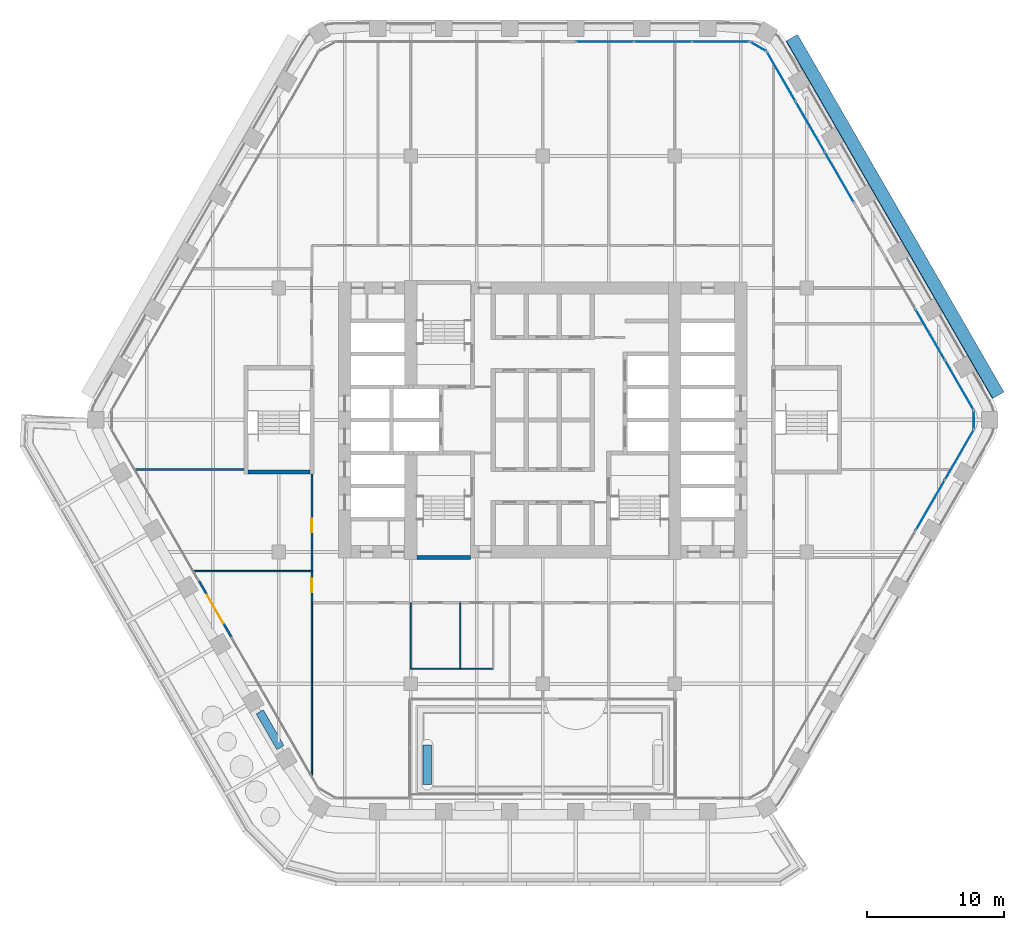
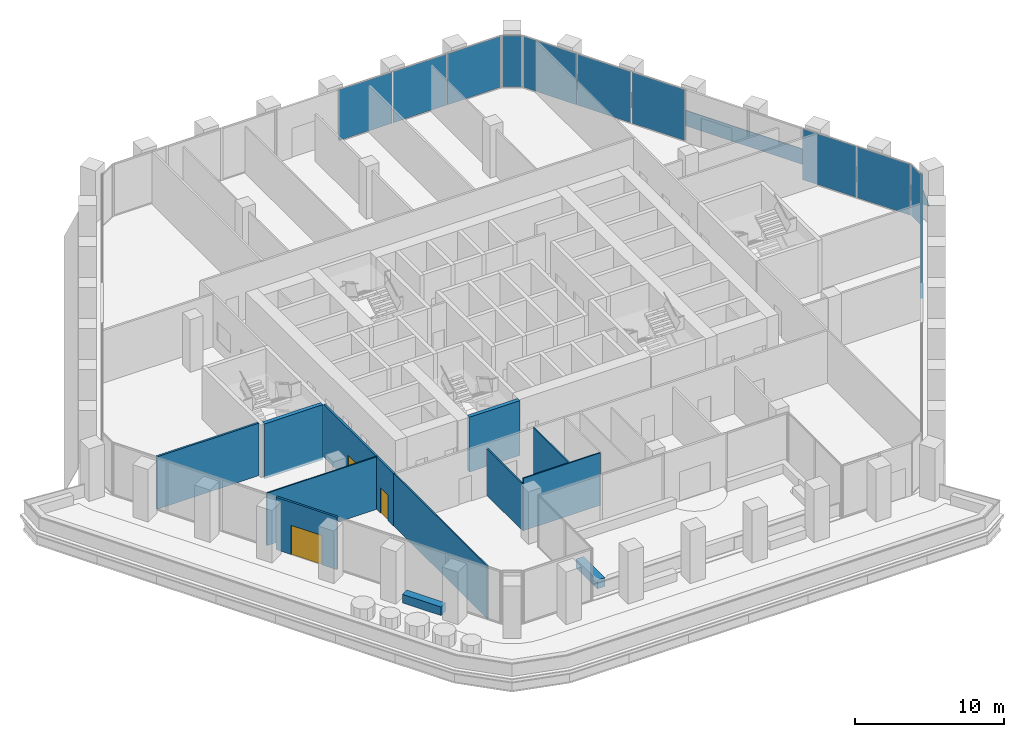
# One storey, part 15 of 27: 13 plates, 12 walls, 3 doors, 3 openings, 6 elements without a shape of their own.
"""IFC4 building model written with IfcOpenShell, lengths in metres."""

from ifc_helpers import new_model, si_unit, direction, frame, frame_2d, origin, origin_2d, place, context, subcontext, project, spatial, polyline, rectangle, outline, extrude, material, layer, layer_set, type_object, element, fill, aggregate, save


model = new_model("IFC4")

# Units and contexts
model_context = context("Model", 3, precision=1e-05, world=origin(), true_north=direction((0.0, 1.0)))
body_context = subcontext(model_context, "Body", "Model", "MODEL_VIEW")
ifc_project = project(units=[si_unit("LENGTHUNIT", "METRE"), si_unit("AREAUNIT", "SQUARE_METRE"), si_unit("VOLUMEUNIT", "CUBIC_METRE"), si_unit("PLANEANGLEUNIT", "RADIAN"), si_unit("MASSUNIT", "GRAM", prefix="KILO")], contexts=[model_context])

# Site, building, storey
site_placement = place(None, origin())
site = spatial("IfcSite", under=ifc_project, at=site_placement, CompositionType="ELEMENT")
building_placement = place(site_placement, origin())
building = spatial("IfcBuilding", under=site, at=building_placement, Name="Kolab Exchange Tower", CompositionType="ELEMENT")
storey_placement = place(building_placement, frame((0.0, 0.0, 109.39990234375)))
storey = spatial("IfcBuildingStorey", under=building, at=storey_placement, Name="L21", CompositionType="ELEMENT", Elevation=109.39990234375)

# Plate
ifc_material_1 = material(Name="Laminated glass, clear", Category="glass")
ifc_layer_1 = layer(ifc_material_1, 0.0400390625)
ifc_layer_set_1 = layer_set([ifc_layer_1], Name="Laminated glass, clear")
plate_type_1 = type_object("IfcPlateType", Name="OUTER SKIN LAMINATED GLASS SHEET 40", PredefinedType="SHEET", material=ifc_layer_set_1)
plate_1_placement = place(storey_placement, frame((18.540283203125, 28.04541015625, -0.73291015625), z_axis=(0.78488749746, 0.453155039209, 0.422613448403), x_axis=(0.499999167166, -0.866025884618, 2.126414e-06)))
element("IfcPlate", 1, at=plate_1_placement, inside=storey, type_object=plate_type_1, Name="Outer skin", PredefinedType="SHEET", context=body_context, shape_type="SweptSolid", body=[
    extrude(outline(polyline([(0.0, 0.0), (30.035931798469555, 0.0), (30.035821559359643, -2.2341565300489714), (-2.087711834573829e-05, -2.2342974723957343), (0.0, 0.0)])), origin(), (0.0, 0.0, -1.0), 0.0400390625),
])

# Curtain wall, plates
ifc_material_2 = material(Name="Aluminium EN AW-6063 T6", Category="aluminium")
curtain_wall_type = type_object("IfcCurtainWallType", Name="UNITISED LOWER MID ZONE CURTAIN WALL", PredefinedType="NOTDEFINED", material=ifc_material_2)
curtain_wall_1_placement = place(storey_placement, origin())
curtain_wall_1 = element("IfcCurtainWall", 2, at=curtain_wall_1_placement, inside=storey, type_object=curtain_wall_type, Name="cw/L21/F1-2", PredefinedType="NOTDEFINED")
ifc_material_3 = material(Name="Clear insulated glazing unit", Category="glass")
ifc_layer_2 = layer(ifc_material_3, 0.02587890625)
ifc_layer_set_2 = layer_set([ifc_layer_2], Name="Clear insulated glazing unit")
plate_type_2 = type_object("IfcPlateType", Name="UNITISED LOWER MID ZONE GLASS PANEL 26", PredefinedType="CURTAIN_PANEL", material=ifc_layer_set_2)
plate_2_placement = place(storey_placement, frame((4.5263671875, 27.5185546875, 0.06005859375), z_axis=(0.0, 0.0, 1.0), x_axis=(1.0, 0.0, 0.0)))
plate_2 = element("IfcPlate", 3, at=plate_2_placement, type_object=plate_type_2, Name="CW2 panel 1.1", PredefinedType="CURTAIN_PANEL", context=body_context, shape_type="SweptSolid", body=[
    extrude(rectangle(XDim=4.132568359375, YDim=0.02587890625, at=origin_2d()), origin(), (0.0, 0.0, 1.0), 4.179931640625),
])
plate_3_placement = place(storey_placement, frame((8.73388671875, 27.5185546875, 0.06005859375), z_axis=(0.0, 0.0, 1.0), x_axis=(1.0, 0.0, 0.0)))
plate_3 = element("IfcPlate", 4, at=plate_3_placement, type_object=plate_type_2, Name="CW2 panel 2.1", PredefinedType="CURTAIN_PANEL", context=body_context, shape_type="SweptSolid", body=[
    extrude(rectangle(XDim=4.16259765625, YDim=0.02587890625, at=origin_2d()), origin(), (0.0, 0.0, 1.0), 4.179931640625),
])
plate_4_placement = place(storey_placement, frame((12.941650390625, 27.5185546875, 0.06005859375), z_axis=(0.0, 0.0, 1.0), x_axis=(1.0, 0.0, 0.0)))
plate_4 = element("IfcPlate", 5, at=plate_4_placement, type_object=plate_type_2, Name="CW2 panel 3.1", PredefinedType="CURTAIN_PANEL", context=body_context, shape_type="SweptSolid", body=[
    extrude(rectangle(XDim=4.132568359375, YDim=0.02587890625, at=origin_2d()), origin(), (0.0, 0.0, 1.0), 4.179931640625),
])
aggregate(curtain_wall_1, [plate_2, plate_3, plate_4])

curtain_wall_2_placement = place(storey_placement, origin())
curtain_wall_2 = element("IfcCurtainWall", 6, at=curtain_wall_2_placement, inside=storey, type_object=curtain_wall_type, Name="cw/L21/F2-1", PredefinedType="NOTDEFINED")
plate_5_placement = place(storey_placement, frame((17.36083984375, 24.967041015625, 0.06005859375), z_axis=(0.0, 0.0, 1.0), x_axis=(0.500000017564, -0.866025393644, 0.0)))
plate_5 = element("IfcPlate", 7, at=plate_5_placement, type_object=plate_type_2, Name="CW2 panel 1.1", PredefinedType="CURTAIN_PANEL", context=body_context, shape_type="SweptSolid", body=[
    extrude(rectangle(XDim=4.132568359375, YDim=0.02587890625, at=origin_2d()), origin(), (0.0, 0.0, 1.0), 4.179931640625),
])
plate_6_placement = place(storey_placement, frame((19.464599609375, 21.322998046875, 0.06005859375), z_axis=(0.0, 0.0, 1.0), x_axis=(0.500000017564, -0.866025393644, 0.0)))
plate_6 = element("IfcPlate", 8, at=plate_6_placement, type_object=plate_type_2, Name="CW2 panel 2.1", PredefinedType="CURTAIN_PANEL", context=body_context, shape_type="SweptSolid", body=[
    extrude(rectangle(XDim=4.16259765625, YDim=0.02587890625, at=origin_2d()), origin(), (0.0, 0.0, 1.0), 4.179931640625),
])
plate_7_placement = place(storey_placement, frame((21.568603515625, 17.67919921875, 0.06005859375), z_axis=(0.0, 0.0, 1.0), x_axis=(0.500000017564, -0.866025393644, 0.0)))
plate_7 = element("IfcPlate", 9, at=plate_7_placement, type_object=plate_type_2, Name="CW2 panel 3.1", PredefinedType="CURTAIN_PANEL", context=body_context, shape_type="SweptSolid", body=[
    extrude(rectangle(XDim=4.132568359375, YDim=0.02587890625, at=origin_2d()), origin(), (0.0, 0.0, 1.0), 4.179931640625),
])
aggregate(curtain_wall_2, [plate_5, plate_6, plate_7])

curtain_wall_3_placement = place(storey_placement, origin())
curtain_wall_3 = element("IfcCurtainWall", 10, at=curtain_wall_3_placement, inside=storey, type_object=curtain_wall_type, Name="cw/L21/F2-2", PredefinedType="NOTDEFINED")
plate_8_placement = place(storey_placement, frame((28.19873046875, 6.1953125, 0.06005859375), z_axis=(0.0, 0.0, 1.0), x_axis=(0.499999958358, -0.866025427826, 0.0)))
plate_8 = element("IfcPlate", 11, at=plate_8_placement, type_object=plate_type_2, Name="CW2 panel 2.1", PredefinedType="CURTAIN_PANEL", context=body_context, shape_type="SweptSolid", body=[
    extrude(rectangle(XDim=4.16259765625, YDim=0.02587890625, at=origin_2d()), origin(), (0.0, 0.0, 1.0), 4.179931640625),
])
plate_9_placement = place(storey_placement, frame((30.302490234375, 2.551513671875, 0.06005859375), z_axis=(0.0, 0.0, 1.0), x_axis=(0.499999958358, -0.866025427826, 0.0)))
plate_9 = element("IfcPlate", 12, at=plate_9_placement, type_object=plate_type_2, Name="CW2 panel 3.1", PredefinedType="CURTAIN_PANEL", context=body_context, shape_type="SweptSolid", body=[
    extrude(rectangle(XDim=4.132568359375, YDim=0.02587890625, at=origin_2d()), origin(), (0.0, 0.0, 1.0), 4.179931640625),
])
aggregate(curtain_wall_3, [plate_8, plate_9])

curtain_wall_4_placement = place(storey_placement, origin())
curtain_wall_4 = element("IfcCurtainWall", 13, at=curtain_wall_4_placement, inside=storey, type_object=curtain_wall_type, Name="cw/L21/F3-1", PredefinedType="NOTDEFINED")
plate_10_placement = place(storey_placement, frame((30.302490234375, -2.551513671875, 0.06005859375), z_axis=(0.0, 0.0, 1.0), x_axis=(-0.499999958358, -0.866025427826, 0.0)))
plate_10 = element("IfcPlate", 14, at=plate_10_placement, type_object=plate_type_2, Name="CW2 panel 1.1", PredefinedType="CURTAIN_PANEL", context=body_context, shape_type="SweptSolid", body=[
    extrude(rectangle(XDim=4.132568359375, YDim=0.02587890625, at=origin_2d()), origin(), (0.0, 0.0, 1.0), 4.179931640625),
])
plate_11_placement = place(storey_placement, frame((28.19873046875, -6.1953125, 0.06005859375), z_axis=(0.0, 0.0, 1.0), x_axis=(-0.499999958358, -0.866025427826, 0.0)))
plate_11 = element("IfcPlate", 15, at=plate_11_placement, type_object=plate_type_2, Name="CW2 panel 2.1", PredefinedType="CURTAIN_PANEL", context=body_context, shape_type="SweptSolid", body=[
    extrude(rectangle(XDim=4.16259765625, YDim=0.02587890625, at=origin_2d()), origin(), (0.0, 0.0, 1.0), 4.179931640625),
])
aggregate(curtain_wall_4, [plate_10, plate_11])

# Curtain wall, plate
curtain_wall_5_placement = place(storey_placement, origin())
curtain_wall_5 = element("IfcCurtainWall", 16, at=curtain_wall_5_placement, inside=storey, type_object=curtain_wall_type, Name="cw/L21/F1F2-corner", PredefinedType="NOTDEFINED")
plate_12_placement = place(storey_placement, frame((15.682861328125, 27.16357421875, 0.06005859375), z_axis=(0.0, 0.0, 1.0), x_axis=(0.866025390869, -0.50000002237, 0.0)))
plate_12 = element("IfcPlate", 17, at=plate_12_placement, type_object=plate_type_2, Name="CW2 panel 1.1", PredefinedType="CURTAIN_PANEL", context=body_context, shape_type="SweptSolid", body=[
    extrude(rectangle(XDim=1.300048828125, YDim=0.02587890625, at=origin_2d()), origin(), (0.0, 0.0, 1.0), 4.179931640625),
])
aggregate(curtain_wall_5, [plate_12])

curtain_wall_6_placement = place(storey_placement, origin())
curtain_wall_6 = element("IfcCurtainWall", 18, at=curtain_wall_6_placement, inside=storey, type_object=curtain_wall_type, Name="cw/L21/F2F3-corner", PredefinedType="NOTDEFINED")
plate_13_placement = place(storey_placement, frame((31.36572265625, 0.0, 0.06005859375), z_axis=(0.0, 0.0, 1.0), x_axis=(0.0, -1.0, 0.0)))
plate_13 = element("IfcPlate", 19, at=plate_13_placement, type_object=plate_type_2, Name="CW2 panel 1.1", PredefinedType="CURTAIN_PANEL", context=body_context, shape_type="SweptSolid", body=[
    extrude(rectangle(XDim=1.300048828125, YDim=0.02587890625, at=origin_2d()), origin(), (0.0, 0.0, 1.0), 4.179931640625),
])
aggregate(curtain_wall_6, [plate_13])

# Wall, opening, door
ifc_layer_3 = layer(ifc_material_2, 0.159912109375)
ifc_layer_set_3 = layer_set([ifc_layer_3], Name="Aluminium EN AW-6063 T6")
wall_type_1 = type_object("IfcWallType", Name="DOOR SURROUND WALL 160 ALUMINIUM FRAMED", PredefinedType="PARTITIONING", material=ifc_layer_set_3)
wall_1_placement = place(storey_placement, frame((-22.646728515625, -15.811767578125, 0.0), z_axis=(0.0, 0.0, 1.0), x_axis=(-0.499978080042, 0.866038058908, 0.0)))
wall_1 = element("IfcWall", 20, at=wall_1_placement, inside=storey, type_object=wall_type_1, Name="Door surround wall", PredefinedType="PARTITIONING", context=body_context, shape_type="SweptSolid", body=[
    extrude(rectangle(XDim=4.739990234375, YDim=0.159912109375, at=frame_2d((2.3701171875, 0.0))), origin(), (0.0, 0.0, 1.0), 4.300048828125),
])
opening_1_placement = place(wall_1_placement, frame((1.169921875, 0.0, 0.0)))
opening_1 = element("IfcOpeningElement", 21, at=opening_1_placement, cuts=wall_1, Name="Opening GD1-038", PredefinedType="OPENING", context=body_context, shape_type="SweptSolid", body=[
    extrude(rectangle(XDim=2.39990234375, YDim=2.39990234375, at=frame_2d((1.199951171875, 1.199951171875))), frame((0.0, 0.08984375, 0.0), z_axis=(0.0, -1.0, 0.0), x_axis=(1.0, 0.0, 0.0)), (0.0, 0.0, 1.0), 0.179931640625),
])
door_type_1 = type_object("IfcDoorType", Name="LOGGIA SLIDING GLASS DOOR 2400 X 2400", OperationType="DOUBLE_DOOR_SINGLE_SWING", PredefinedType="DOOR", material=ifc_material_2)
door_1_placement = place(opening_1_placement, origin())
door_1 = element("IfcDoor", 22, at=door_1_placement, inside=storey, type_object=door_type_1, Name="Loggia door", OperationType="DOUBLE_DOOR_SLIDING", OverallHeight=2.39990234375, OverallWidth=2.39990234375, PredefinedType="DOOR", context=body_context, shape_type="SweptSolid", body=[
    extrude(rectangle(XDim=2.39990234375, YDim=2.39990234375, at=frame_2d((1.199951171875, 1.199951171875))), frame((0.0, 0.02490234375, 0.0), z_axis=(0.0, -1.0, 0.0), x_axis=(1.0, 0.0, 0.0)), (0.0, 0.0, 1.0), 0.050048828125),
])
fill(opening_1, door_1)

# Walls
ifc_material_4 = material(Name="Gypsum board", Category="gypsum")
ifc_layer_4 = layer(ifc_material_4, 0.10009765625)
ifc_layer_set_4 = layer_set([ifc_layer_4], Name="Gypsum board")
wall_type_2 = type_object("IfcWallType", Name="PARTITION 100", PredefinedType="PARTITIONING", material=ifc_layer_set_4)
wall_2_placement = place(storey_placement, frame((-6.0, -18.10009765625, 0.0), z_axis=(0.0, 0.0, 1.0), x_axis=(0.0, 1.0, 0.0)))
element("IfcWall", 23, at=wall_2_placement, inside=storey, type_object=wall_type_2, Name="Partition 018", PredefinedType="PARTITIONING", context=body_context, shape_type="SweptSolid", body=[
    extrude(rectangle(XDim=4.800048828125, YDim=0.10009765625, at=frame_2d((2.39990234375, 0.0))), origin(), (0.0, 0.0, 1.0), 4.300048828125),
])
wall_3_placement = place(storey_placement, frame((-9.60009765625, -18.10009765625, 0.0), z_axis=(0.0, 0.0, 1.0), x_axis=(0.0, 1.0, 0.0)))
element("IfcWall", 24, at=wall_3_placement, inside=storey, type_object=wall_type_2, Name="Partition 019", PredefinedType="PARTITIONING", context=body_context, shape_type="SweptSolid", body=[
    extrude(rectangle(XDim=4.800048828125, YDim=0.10009765625, at=frame_2d((2.39990234375, 0.0))), origin(), (0.0, 0.0, 1.0), 3.843017578125),
])
wall_4_placement = place(storey_placement, frame((-16.800048828125, -25.8583984375, 0.0), z_axis=(0.0, 0.0, 1.0), x_axis=(0.0, 1.0, 0.0)))
element("IfcWall", 25, at=wall_4_placement, inside=storey, type_object=wall_type_2, Name="Partition 025", PredefinedType="PARTITIONING", context=body_context, shape_type="SweptSolid", body=[
    extrude(rectangle(XDim=12.558349609375, YDim=0.10009765625, at=frame_2d((6.279296875, 0.0))), origin(), (0.0, 0.0, 1.0), 4.300048828125),
])
wall_5_placement = place(storey_placement, frame((-9.60009765625, -18.10009765625, 0.0), z_axis=(0.0, 0.0, 1.0), x_axis=(1.0, 0.0, 0.0)))
element("IfcWall", 26, at=wall_5_placement, inside=storey, type_object=wall_type_2, Name="Partition 028", PredefinedType="PARTITIONING", context=body_context, shape_type="SweptSolid", body=[
    extrude(rectangle(XDim=6.0, YDim=0.10009765625, at=frame_2d((3.0, 0.0))), origin(), (0.0, 0.0, 1.0), 4.300048828125),
])
wall_6_placement = place(storey_placement, frame((-25.37841796875, -11.0, 0.0), z_axis=(0.0, 0.0, 1.0), x_axis=(1.0, 0.0, 0.0)))
element("IfcWall", 27, at=wall_6_placement, inside=storey, type_object=wall_type_2, Name="Partition 030", PredefinedType="PARTITIONING", context=body_context, shape_type="SweptSolid", body=[
    extrude(rectangle(XDim=8.578369140625, YDim=0.10009765625, at=frame_2d((4.2890625, 0.0))), origin(), (0.0, 0.0, 1.0), 4.300048828125),
])

# Wall, openings, doors
ifc_layer_5 = layer(ifc_material_4, 0.14990234375)
ifc_layer_set_5 = layer_set([ifc_layer_5], Name="Gypsum board")
wall_type_3 = type_object("IfcWallType", Name="PARTITION 150 FIRE-RATED", PredefinedType="PARTITIONING", material=ifc_layer_set_5)
wall_7_placement = place(storey_placement, frame((-16.800048828125, -13.300048828125, 0.0), z_axis=(0.0, 0.0, 1.0), x_axis=(0.0, 1.0, 0.0)))
wall_7 = element("IfcWall", 28, at=wall_7_placement, inside=storey, type_object=wall_type_3, Name="Partition 026", PredefinedType="PARTITIONING", context=body_context, shape_type="SweptSolid", body=[
    extrude(rectangle(XDim=9.35009765625, YDim=0.14990234375, at=frame_2d((4.675048828125, 0.0))), origin(), (0.0, 0.0, 1.0), 4.300048828125),
])
opening_2_placement = place(wall_7_placement, frame((0.75, 0.0, 0.0)))
opening_2 = element("IfcOpeningElement", 29, at=opening_2_placement, cuts=wall_7, Name="Opening D1-297", PredefinedType="OPENING", context=body_context, shape_type="SweptSolid", body=[
    extrude(rectangle(XDim=1.0, YDim=2.10009765625, at=frame_2d((0.5, 1.050048828125))), frame((0.0, 0.0849609375, 0.0), z_axis=(0.0, -1.0, 0.0), x_axis=(1.0, 0.0, 0.0)), (0.0, 0.0, 1.0), 0.169921875),
])
opening_3_placement = place(wall_7_placement, frame((5.125, 0.0, 0.0)))
opening_3 = element("IfcOpeningElement", 30, at=opening_3_placement, cuts=wall_7, Name="Opening D1-298", PredefinedType="OPENING", context=body_context, shape_type="SweptSolid", body=[
    extrude(rectangle(XDim=1.0, YDim=2.10009765625, at=frame_2d((0.5, 1.050048828125))), frame((0.0, 0.0849609375, 0.0), z_axis=(0.0, -1.0, 0.0), x_axis=(1.0, 0.0, 0.0)), (0.0, 0.0, 1.0), 0.169921875),
])
ifc_material_5 = material(Name="Steel S235", Category="steel")
door_type_2 = type_object("IfcDoorType", Name="FLUSH DOOR 1000 FD60", OperationType="SINGLE_SWING_LEFT", PredefinedType="DOOR", material=ifc_material_5)
door_2_placement = place(opening_2_placement, origin())
door_2 = element("IfcDoor", 31, at=door_2_placement, inside=storey, type_object=door_type_2, Name="Door L21-066", OperationType="SINGLE_SWING_RIGHT", OverallHeight=2.10009765625, OverallWidth=1.0, PredefinedType="DOOR", context=body_context, shape_type="SweptSolid", body=[
    extrude(rectangle(XDim=1.0, YDim=2.10009765625, at=frame_2d((0.5, 1.050048828125))), frame((0.0, 0.02490234375, 0.0), z_axis=(0.0, -1.0, 0.0), x_axis=(1.0, 0.0, 0.0)), (0.0, 0.0, 1.0), 0.050048828125),
])
fill(opening_2, door_2)
door_3_placement = place(opening_3_placement, origin())
door_3 = element("IfcDoor", 32, at=door_3_placement, inside=storey, type_object=door_type_2, Name="Door L21-067", OperationType="SINGLE_SWING_LEFT", OverallHeight=2.10009765625, OverallWidth=1.0, PredefinedType="DOOR", context=body_context, shape_type="SweptSolid", body=[
    extrude(rectangle(XDim=1.0, YDim=2.10009765625, at=frame_2d((0.5, 1.050048828125))), frame((0.0, 0.02490234375, 0.0), z_axis=(0.0, -1.0, 0.0), x_axis=(1.0, 0.0, 0.0)), (0.0, 0.0, 1.0), 0.050048828125),
])
fill(opening_3, door_3)

# Walls
wall_8_placement = place(storey_placement, frame((-29.65087890625, -3.60009765625, 0.0), z_axis=(0.0, 0.0, 1.0), x_axis=(1.0, 0.0, 0.0)))
element("IfcWall", 33, at=wall_8_placement, inside=storey, type_object=wall_type_3, Name="Partition 034", PredefinedType="PARTITIONING", context=body_context, shape_type="SweptSolid", body=[
    extrude(rectangle(XDim=7.90087890625, YDim=0.14990234375, at=frame_2d((3.950439453125, 0.0))), origin(), (0.0, 0.0, 1.0), 4.300048828125),
])
ifc_material_6 = material(Name="Granite facing", Category="masonry")
ifc_layer_6 = layer(ifc_material_6, 0.0400390625)
ifc_material_7 = material(Name="Concrete C40/50 precast", Category="concrete")
ifc_layer_7 = layer(ifc_material_7, 0.56005859375)
ifc_layer_set_6 = layer_set([ifc_layer_6, ifc_layer_7], Name="Concrete C40/50 precast")
wall_type_4 = type_object("IfcWallType", Name="PLANTER BOX 600 X 700 SOIL DEPTH 550", PredefinedType="USERDEFINED", material=ifc_layer_set_6)
wall_9_placement = place(storey_placement, frame((-19.087158203125, -23.837158203125, 0.0), z_axis=(0.0, 0.0, 1.0), x_axis=(-0.499990139034, 0.866031096941, 0.0)))
element("IfcWall", 34, at=wall_9_placement, inside=storey, type_object=wall_type_4, Name="Planter", ObjectType="PLANTER", PredefinedType="USERDEFINED", context=body_context, shape_type="SweptSolid", body=[
    extrude(rectangle(XDim=3.0, YDim=0.60009765625, at=frame_2d((1.5, 0.0))), origin(), (0.0, 0.0, 1.0), 0.7001953125),
])
wall_10_placement = place(storey_placement, frame((-8.39990234375, -23.638427734375, 0.0), z_axis=(0.0, 0.0, 1.0), x_axis=(0.0, -1.0, 0.0)))
element("IfcWall", 35, at=wall_10_placement, inside=storey, type_object=wall_type_4, Name="Planter", ObjectType="PLANTER", PredefinedType="USERDEFINED", context=body_context, shape_type="SweptSolid", body=[
    extrude(rectangle(XDim=2.880126953125, YDim=0.60009765625, at=frame_2d((1.43994140625, 0.0))), origin(), (0.0, 0.0, 1.0), 0.7001953125),
])
ifc_material_8 = material(Name="Concrete C50/60", Category="concrete")
ifc_layer_8 = layer(ifc_material_8, 0.300048828125)
ifc_layer_set_7 = layer_set([ifc_layer_8], Name="Concrete C50/60")
wall_type_5 = type_object("IfcWallType", Name="STAIR ENCLOSURE WALL 300 C50/60", PredefinedType="STANDARD", material=ifc_layer_set_7)
wall_11_placement = place(storey_placement, frame((-9.14990234375, -10.0, -0.199951171875), z_axis=(0.0, 0.0, 1.0), x_axis=(1.0, 0.0, 0.0)))
element("IfcWall", 36, at=wall_11_placement, inside=storey, type_object=wall_type_5, Name="wall/L21/core/000", PredefinedType="STANDARD", context=body_context, shape_type="SweptSolid", body=[
    extrude(rectangle(XDim=3.89990234375, YDim=0.300048828125, at=frame_2d((1.949951171875, 0.0))), origin(), (0.0, 0.0, 1.0), 4.5),
])
wall_12_placement = place(storey_placement, frame((-21.449951171875, -3.800048828125, -0.199951171875), z_axis=(0.0, 0.0, 1.0), x_axis=(1.0, 0.0, 0.0)))
element("IfcWall", 37, at=wall_12_placement, inside=storey, type_object=wall_type_5, Name="wall/L21/core/012", PredefinedType="STANDARD", context=body_context, shape_type="SweptSolid", body=[
    extrude(rectangle(XDim=4.5, YDim=0.300048828125, at=frame_2d((2.25, 0.0))), origin(), (0.0, 0.0, 1.0), 4.5),
])

save(model, "model.ifc")
